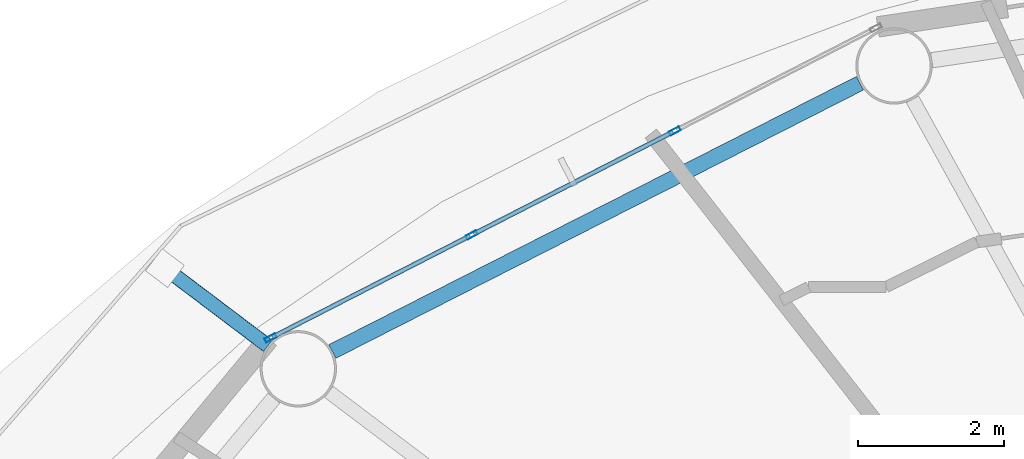
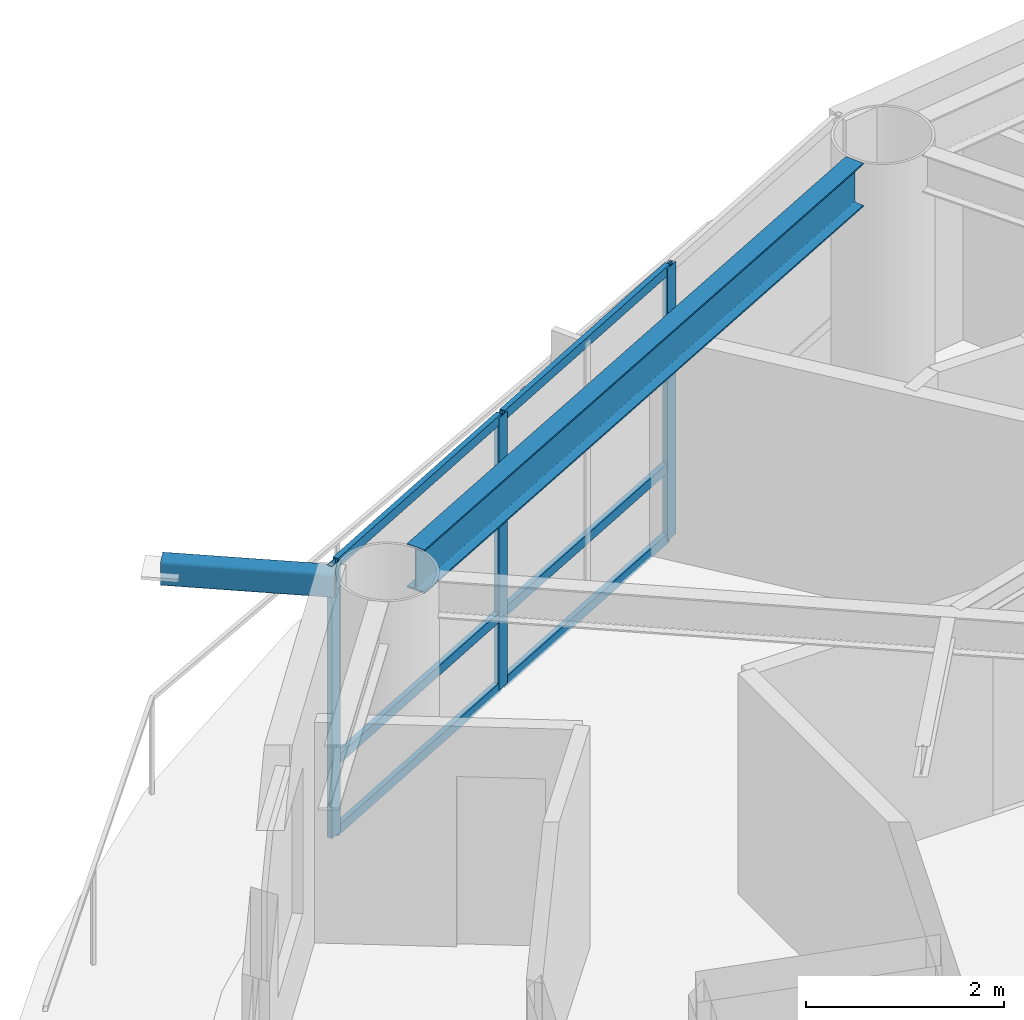
# One storey, part 8 of 23: 10 members, 1 beam, 1 element without a shape of its own.
"""IFC4 building model written with IfcOpenShell, lengths in metres."""

from ifc_helpers import new_model, si_unit, direction, frame, origin, origin_2d, place, context, subcontext, project, spatial, hollow_rectangle, i_section, extrude, material, layer, layer_set, material_profile, profile_set, type_object, element, aggregate, save


model = new_model("IFC4")

# Units and contexts
model_context = context("Model", 3, precision=1e-05, world=origin(), true_north=direction((0.0, 1.0)))
body_context = subcontext(model_context, "Body", "Model", "MODEL_VIEW")
ifc_project = project(units=[si_unit("LENGTHUNIT", "METRE"), si_unit("AREAUNIT", "SQUARE_METRE"), si_unit("VOLUMEUNIT", "CUBIC_METRE"), si_unit("PLANEANGLEUNIT", "RADIAN"), si_unit("MASSUNIT", "GRAM", prefix="KILO")], contexts=[model_context])

# Site, building, storey
site_placement = place(None, origin())
site = spatial("IfcSite", under=ifc_project, at=site_placement, CompositionType="ELEMENT")
building_placement = place(site_placement, origin())
building = spatial("IfcBuilding", under=site, at=building_placement, Name="Sarneth Arch Tower", CompositionType="ELEMENT")
storey_placement = place(building_placement, frame((0.0, 0.0, 238.800048828125)))
storey = spatial("IfcBuildingStorey", under=building, at=storey_placement, Name="L61", CompositionType="ELEMENT", Elevation=238.800048828125)

# Beam
ifc_material_1 = material(Name="Steel S355", Category="steel")
ifc_material_profile_1 = material_profile(ifc_material_1, i_section(OverallWidth=0.2109375, OverallDepth=0.5390625, WebThickness=0.01171875, FlangeThickness=0.018798828125, FilletRadius=0.01806640625, at=origin_2d()), Name="W530x109")
ifc_profile_set_1 = profile_set([ifc_material_profile_1], Name="Steel S355")
beam_type = type_object("IfcBeamType", Name="BM-RAD-530B", PredefinedType="BEAM", material=ifc_profile_set_1)
beam_placement = place(storey_placement, frame((37.7412109375, 59.50048828125, 3.09033203125), z_axis=(-0.891368271482, -0.453279830342, 0.0), x_axis=(0.453279830342, -0.891368271482, 0.0)))
element("IfcBeam", 1, at=beam_placement, inside=storey, type_object=beam_type, Name="L61 Perimeter spandrel beam 06", PredefinedType="BEAM", context=body_context, shape_type="SweptSolid", body=[
    extrude(i_section(OverallWidth=0.2109375, OverallDepth=0.5390625, WebThickness=0.01171875, FlangeThickness=0.018798828125, FilletRadius=0.01806640625, at=origin_2d()), origin(), (0.0, 0.0, 1.0), 8.1318359375),
])

# Curtain wall, members
ifc_material_2 = material(Name="Anodised aluminium Type AA25 and solar-control low-e laminated IGU", Category="aluminium")
ifc_layer = layer(ifc_material_2, 0.179931640625)
ifc_layer_set = layer_set([ifc_layer], Name="Anodised aluminium Type AA25 and solar-control low-e laminated IGU")
curtain_wall_type = type_object("IfcCurtainWallType", Name="CW-RES-HIGH", PredefinedType="NOTDEFINED", material=ifc_layer_set)
curtain_wall_placement = place(storey_placement, origin())
curtain_wall = element("IfcCurtainWall", 2, at=curtain_wall_placement, inside=storey, type_object=curtain_wall_type, Name="L61 Unitised curtain wall facet 06", PredefinedType="NOTDEFINED")
ifc_material_3 = material(Name="Anodised Aluminium 6063-T6", Category="aluminium")
ifc_material_profile_2 = material_profile(ifc_material_3, hollow_rectangle(XDim=0.06005859375, YDim=0.159912109375, WallThickness=0.00390625, at=origin_2d()), Name="AL-MULL-160x60x4")
ifc_profile_set_2 = profile_set([ifc_material_profile_2], Name="Anodised Aluminium 6063-T6")
member_type_1 = type_object("IfcMemberType", Name="CW-MULLION", PredefinedType="MULLION", material=ifc_profile_set_2)
member_1_placement = place(storey_placement, frame((35.197509765625, 58.844970703125, 0.0), z_axis=(0.0, 0.0, 1.0), x_axis=(0.455941901753, -0.890009540525, 0.0)))
member_1 = element("IfcMember", 3, at=member_1_placement, type_object=member_type_1, Name="CW-SYS-6 mullion 2", PredefinedType="MULLION", context=body_context, shape_type="SweptSolid", body=[
    extrude(hollow_rectangle(XDim=0.06005859375, YDim=0.159912109375, WallThickness=0.00390625, at=origin_2d()), origin(), (0.0, 0.0, 1.0), 3.35986328125),
])
member_2_placement = place(storey_placement, frame((32.407470703125, 57.415771484375, 0.0), z_axis=(0.0, 0.0, 1.0), x_axis=(0.455941901753, -0.890009540525, 0.0)))
member_2 = element("IfcMember", 4, at=member_2_placement, type_object=member_type_1, Name="CW-SYS-6 mullion 3", PredefinedType="MULLION", context=body_context, shape_type="SweptSolid", body=[
    extrude(hollow_rectangle(XDim=0.06005859375, YDim=0.159912109375, WallThickness=0.00390625, at=origin_2d()), origin(), (0.0, 0.0, 1.0), 3.35986328125),
])
member_3_placement = place(storey_placement, frame((29.644287109375, 56.000244140625, 0.0), z_axis=(0.0, 0.0, 1.0), x_axis=(0.455941901753, -0.890009540525, 0.0)))
member_3 = element("IfcMember", 5, at=member_3_placement, type_object=member_type_1, Name="CW-SYS-6 mullion 4", PredefinedType="MULLION", context=body_context, shape_type="SweptSolid", body=[
    extrude(hollow_rectangle(XDim=0.06005859375, YDim=0.159912109375, WallThickness=0.00390625, at=origin_2d()), origin(), (0.0, 0.0, 1.0), 3.35986328125),
])
ifc_material_4 = material(Name="Anodised Aluminium 6063-T6", Category="aluminium")
ifc_material_profile_3 = material_profile(ifc_material_4, hollow_rectangle(XDim=0.06005859375, YDim=0.1201171875, WallThickness=0.00390625, at=origin_2d()), Name="AL-TRAN-120x60x4")
ifc_profile_set_3 = profile_set([ifc_material_profile_3], Name="Anodised Aluminium 6063-T6")
member_type_2 = type_object("IfcMemberType", Name="CW-TRANSOM", PredefinedType="USERDEFINED", material=ifc_profile_set_3)
member_4_placement = place(storey_placement, frame((35.170654296875, 58.831298828125, 0.030029296875), z_axis=(-0.890017432405, -0.455926496286, 0.0), x_axis=(0.455926496286, -0.890017432405, 0.0)))
member_4 = element("IfcMember", 6, at=member_4_placement, type_object=member_type_2, Name="CW-SYS-6 transom 2.1", ObjectType="TRANSOM", PredefinedType="USERDEFINED", context=body_context, shape_type="SweptSolid", body=[
    extrude(hollow_rectangle(XDim=0.06005859375, YDim=0.1201171875, WallThickness=0.00390625, at=origin_2d()), origin(), (0.0, 0.0, 1.0), 3.07470703125),
])
member_5_placement = place(storey_placement, frame((35.170654296875, 58.831298828125, 0.89990234375), z_axis=(-0.890017432405, -0.455926496286, 0.0), x_axis=(0.455926496286, -0.890017432405, 0.0)))
member_5 = element("IfcMember", 7, at=member_5_placement, type_object=member_type_2, Name="CW-SYS-6 transom 2.2", ObjectType="TRANSOM", PredefinedType="USERDEFINED", context=body_context, shape_type="SweptSolid", body=[
    extrude(hollow_rectangle(XDim=0.06005859375, YDim=0.1201171875, WallThickness=0.00390625, at=origin_2d()), origin(), (0.0, 0.0, 1.0), 3.07470703125),
])
member_6_placement = place(storey_placement, frame((35.170654296875, 58.831298828125, 3.329833984375), z_axis=(-0.890017432405, -0.455926496286, 0.0), x_axis=(0.455926496286, -0.890017432405, 0.0)))
member_6 = element("IfcMember", 8, at=member_6_placement, type_object=member_type_2, Name="CW-SYS-6 transom 2.3", ObjectType="TRANSOM", PredefinedType="USERDEFINED", context=body_context, shape_type="SweptSolid", body=[
    extrude(hollow_rectangle(XDim=0.06005859375, YDim=0.1201171875, WallThickness=0.00390625, at=origin_2d()), origin(), (0.0, 0.0, 1.0), 3.07470703125),
])
member_7_placement = place(storey_placement, frame((32.380859375, 57.402099609375, 0.030029296875), z_axis=(-0.890022732705, -0.455916149384, 0.0), x_axis=(0.455916149384, -0.890022732705, 0.0)))
member_7 = element("IfcMember", 9, at=member_7_placement, type_object=member_type_2, Name="CW-SYS-6 transom 3.1", ObjectType="TRANSOM", PredefinedType="USERDEFINED", context=body_context, shape_type="SweptSolid", body=[
    extrude(hollow_rectangle(XDim=0.06005859375, YDim=0.1201171875, WallThickness=0.00390625, at=origin_2d()), origin(), (0.0, 0.0, 1.0), 3.044921875),
])
member_8_placement = place(storey_placement, frame((32.380859375, 57.402099609375, 0.89990234375), z_axis=(-0.890022732705, -0.455916149384, 0.0), x_axis=(0.455916149384, -0.890022732705, 0.0)))
member_8 = element("IfcMember", 10, at=member_8_placement, type_object=member_type_2, Name="CW-SYS-6 transom 3.2", ObjectType="TRANSOM", PredefinedType="USERDEFINED", context=body_context, shape_type="SweptSolid", body=[
    extrude(hollow_rectangle(XDim=0.06005859375, YDim=0.1201171875, WallThickness=0.00390625, at=origin_2d()), origin(), (0.0, 0.0, 1.0), 3.044921875),
])
member_9_placement = place(storey_placement, frame((32.380859375, 57.402099609375, 3.329833984375), z_axis=(-0.890022732705, -0.455916149384, 0.0), x_axis=(0.455916149384, -0.890022732705, 0.0)))
member_9 = element("IfcMember", 11, at=member_9_placement, type_object=member_type_2, Name="CW-SYS-6 transom 3.3", ObjectType="TRANSOM", PredefinedType="USERDEFINED", context=body_context, shape_type="SweptSolid", body=[
    extrude(hollow_rectangle(XDim=0.06005859375, YDim=0.1201171875, WallThickness=0.00390625, at=origin_2d()), origin(), (0.0, 0.0, 1.0), 3.044921875),
])
aggregate(curtain_wall, [member_1, member_2, member_3, member_4, member_5, member_6, member_7, member_8, member_9])

# Member
ifc_material_5 = material(Name="Steel S355", Category="steel")
ifc_material_profile_4 = material_profile(ifc_material_5, hollow_rectangle(XDim=0.199951171875, YDim=0.300048828125, WallThickness=0.012451171875, InnerFilletRadius=0.018798828125, OuterFilletRadius=0.03125, at=origin_2d()), Name="RHS300x200x12.5")
ifc_profile_set_4 = profile_set([ifc_material_profile_4], Name="Steel S355")
member_type_3 = type_object("IfcMemberType", Name="MEM-CANT-STRUT", PredefinedType="STRUT", material=ifc_profile_set_4)
member_10_placement = place(storey_placement, frame((29.60595703125, 55.892822265625, 3.199951171875), z_axis=(-0.797977791817, 0.60268685382, 0.0), x_axis=(-0.60268685382, -0.797977791817, 0.0)))
element("IfcMember", 12, at=member_10_placement, inside=storey, type_object=member_type_3, Name="L61 Balcony cantilever bracket 07", PredefinedType="STRUT", context=body_context, shape_type="SweptSolid", body=[
    extrude(hollow_rectangle(XDim=0.199951171875, YDim=0.300048828125, WallThickness=0.012451171875, InnerFilletRadius=0.018798828125, OuterFilletRadius=0.03125, at=origin_2d()), origin(), (0.0, 0.0, 1.0), 1.771484375),
])

save(model, "model.ifc")
